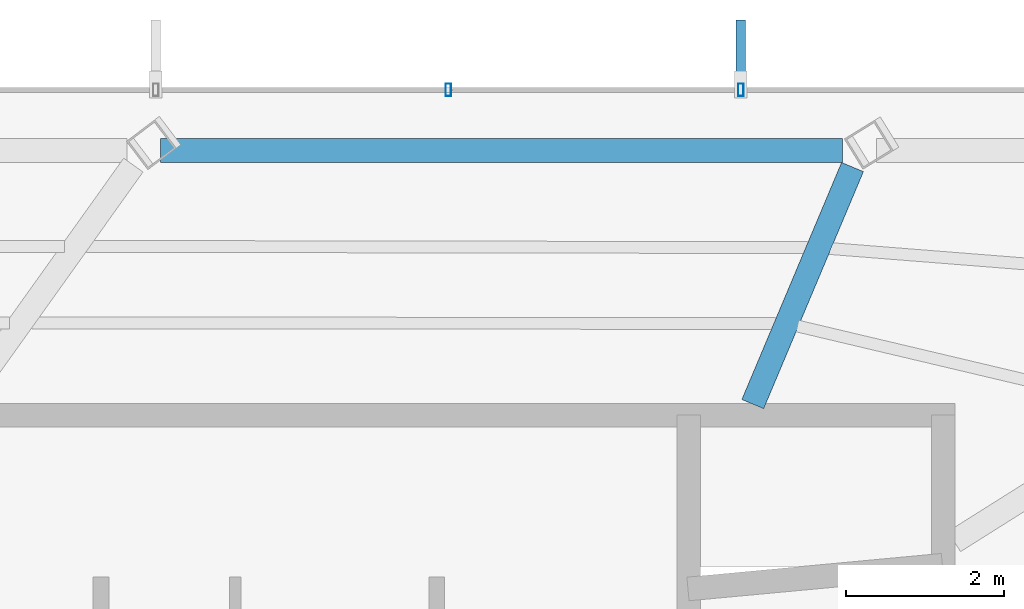
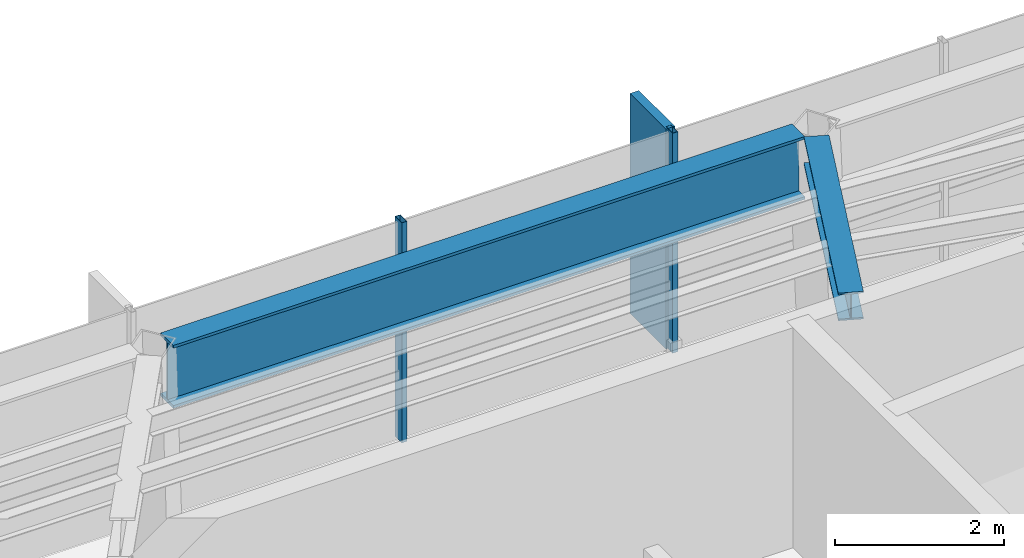
# One storey, part 14 of 22: 3 members, 2 beams, 1 element without a shape of its own.
"""IFC4 building model written with IfcOpenShell, lengths in metres."""

import ifcopenshell
import ifcopenshell.guid

model = None  # the IFC model being written
_history = None  # IfcOwnerHistory: only IFC2X3 demands one
_inside = {}  # id of a spatial element -> (the spatial element, [elements in it])
_under = {}  # id of a project, library or spatial element -> (it, [spatial elements below it])
_declared = {}  # id of a project -> (the project, [libraries it declares])
_typed = {}  # id of a type object -> (the type object, [elements of that type])
_made_of = {}  # id of a material, layer set ... -> (it, [elements and type objects made of it])


def new_model(schema):
    """Start an empty IFC model of exactly this schema.

    Asked for "IFC4X3", IfcOpenShell would pick the latest addendum, in which some entities
    have other attributes; the version numbers below select the first issue.
    IFC2X3 requires an IfcOwnerHistory on every rooted entity: one is made here for all.
    """
    global model, _history
    if schema == "IFC4X3":
        model = ifcopenshell.file(schema_version=(4, 3, 0, 0))
    else:
        model = ifcopenshell.file(schema=schema)
    _inside.clear()
    _under.clear()
    _declared.clear()
    _typed.clear()
    _made_of.clear()
    _history = None
    if model.schema == "IFC2X3":
        org = make("IfcOrganization", Name="unknown")
        user = make(
            "IfcPersonAndOrganization",
            ThePerson=make("IfcPerson", FamilyName="unknown"),
            TheOrganization=org,
        )
        app = make(
            "IfcApplication",
            ApplicationDeveloper=org,
            Version="unknown",
            ApplicationFullName="unknown",
            ApplicationIdentifier="unknown",
        )
        _history = make(
            "IfcOwnerHistory",
            OwningUser=user,
            OwningApplication=app,
            ChangeAction="ADDED",
            CreationDate=0,
        )
    return model


def make(cls, **values):
    """One entity of the class cls with the attributes given. An attribute that is None is left unset."""
    return model.create_entity(
        cls, **{name: value for name, value in values.items() if value is not None}
    )


def rooted(cls, **values):
    """An entity with a GlobalId (a new one), such as an element, a storey or a relation."""
    return make(cls, GlobalId=ifcopenshell.guid.new(), OwnerHistory=_history, **values)


def si_unit(unit_type, name, prefix=None):
    """IfcSIUnit, for example si_unit("LENGTHUNIT", "METRE", prefix="MILLI")."""
    return make("IfcSIUnit", UnitType=unit_type, Prefix=prefix, Name=name)


def assignment(units):
    """IfcUnitAssignment: the units of a project."""
    return None if units is None else make("IfcUnitAssignment", Units=units)


def point(xyz):
    """IfcCartesianPoint."""
    return None if xyz is None else make("IfcCartesianPoint", Coordinates=xyz)


def direction(xyz):
    """IfcDirection."""
    return None if xyz is None else make("IfcDirection", DirectionRatios=xyz)


def frame(location, z_axis=None, x_axis=None):
    """IfcAxis2Placement3D, a coordinate frame: its origin and axes. An axis left out is left unset."""
    return make(
        "IfcAxis2Placement3D",
        Location=point(location),
        Axis=direction(z_axis),
        RefDirection=direction(x_axis),
    )


def frame_2d(location, x_axis=None):
    """IfcAxis2Placement2D, a coordinate frame in the plane: its origin and x axis."""
    return make(
        "IfcAxis2Placement2D", Location=point(location), RefDirection=direction(x_axis)
    )


def origin():
    """The frame at (0, 0, 0) with its axes left unset."""
    return frame((0.0, 0.0, 0.0))


def origin_2d():
    """The frame at (0, 0) in the plane with its x axis left unset."""
    return frame_2d((0.0, 0.0))


def place(relative_to, where):
    """IfcLocalPlacement: puts the frame where relative to a parent placement (None: the world)."""
    return make(
        "IfcLocalPlacement", PlacementRelTo=relative_to, RelativePlacement=where
    )


def context(
    kind, dimensions, precision=None, world=None, true_north=None, identifier=None
):
    """IfcGeometricRepresentationContext, for example the 3D "Model" context."""
    return make(
        "IfcGeometricRepresentationContext",
        ContextIdentifier=identifier,
        ContextType=kind,
        CoordinateSpaceDimension=dimensions,
        Precision=precision,
        WorldCoordinateSystem=world,
        TrueNorth=true_north,
    )


def subcontext(parent, identifier, kind, view, scale=None):
    """IfcGeometricRepresentationSubContext, for example "Body" below "Model"."""
    return make(
        "IfcGeometricRepresentationSubContext",
        ContextIdentifier=identifier,
        ContextType=kind,
        ParentContext=parent,
        TargetScale=scale,
        TargetView=view,
    )


def project(units=None, contexts=None):
    """IfcProject with its units and contexts."""
    return rooted(
        "IfcProject",
        Name="project",
        RepresentationContexts=contexts,
        UnitsInContext=assignment(units),
    )


def spatial(cls, under=None, at=None, **own):
    """A site, building, storey or space (cls), placed at a placement, below another one or the project."""
    s = rooted(cls, ObjectPlacement=at, **own)
    if under is not None:
        _under.setdefault(under.id(), (under, []))[1].append(s)
    return s


def profile(cls, at=None, kind="AREA", **sizes):
    """A parametric profile (cls). Its sizes go by their IFC names, for example OverallWidth=200.0."""
    return make(cls, ProfileType=kind, Position=at, **sizes)


def rectangle(**sizes):
    """IfcRectangleProfileDef."""
    return profile("IfcRectangleProfileDef", **sizes)


def hollow_rectangle(**sizes):
    """IfcRectangleHollowProfileDef."""
    return profile("IfcRectangleHollowProfileDef", **sizes)


def i_section(**sizes):
    """IfcIShapeProfileDef."""
    return profile("IfcIShapeProfileDef", **sizes)


def extrude(swept, where, along, depth):
    """IfcExtrudedAreaSolid: the profile swept, set in the frame where, extruded along a direction by depth."""
    return make(
        "IfcExtrudedAreaSolid",
        SweptArea=swept,
        Position=where,
        ExtrudedDirection=direction(along),
        Depth=depth,
    )


def shape(context_of_items, identifier, shape_type, items):
    """IfcShapeRepresentation: the items that make up one representation, for example the "Body"."""
    return make(
        "IfcShapeRepresentation",
        ContextOfItems=context_of_items,
        RepresentationIdentifier=identifier,
        RepresentationType=shape_type,
        Items=items,
    )


def material(Name=None, Category=None):
    """IfcMaterial."""
    return make("IfcMaterial", Name=Name, Category=Category)


def layer(
    of_material, thickness, ventilated=None, Name=None, Category=None, Priority=None
):
    """IfcMaterialLayer: one layer of a wall or slab, of a material (None: an air gap)."""
    return make(
        "IfcMaterialLayer",
        Material=of_material,
        LayerThickness=thickness,
        IsVentilated=ventilated,
        Name=Name,
        Category=Category,
        Priority=Priority,
    )


def layer_set(layers, Name=None):
    """IfcMaterialLayerSet."""
    return make("IfcMaterialLayerSet", MaterialLayers=layers, LayerSetName=Name)


def material_profile(
    of_material, cross_section, Name=None, Category=None, Priority=None
):
    """IfcMaterialProfile: a cross section and its material."""
    return make(
        "IfcMaterialProfile",
        Name=Name,
        Material=of_material,
        Profile=cross_section,
        Priority=Priority,
        Category=Category,
    )


def profile_set(profiles, Name=None, composite=None):
    """IfcMaterialProfileSet."""
    return make(
        "IfcMaterialProfileSet",
        Name=Name,
        MaterialProfiles=profiles,
        CompositeProfile=composite,
    )


def made_of(thing, what):
    """Note that an element or type object is made of a material, layer set ...; save() writes the relation."""
    if what is not None:
        _made_of.setdefault(what.id(), (what, []))[1].append(thing)
    return thing


def type_object(cls, material=None, **own):
    """A type object (cls), such as IfcWallType, which elements share."""
    return made_of(rooted(cls, **own), material)


def element(
    cls,
    number,
    at=None,
    inside=None,
    cuts=None,
    type_object=None,
    material=None,
    context=None,
    identifier="Body",
    shape_type=None,
    held_by="IfcProductDefinitionShape",
    body=None,
    shapes=None,
    **own,
):
    """One element of the class cls, such as IfcWall. Its Tag is "e" and its number.

    at: its placement. inside: the storey or other place that contains it. cuts: it is an
    opening in that element (IfcRelVoidsElement). A single representation is given by context,
    identifier, shape_type and body (its items); several are given by shapes. held_by: the class
    of the entity that holds the representations. save() writes the other relations.
    """
    e = rooted(cls, Tag="e%d" % number, ObjectPlacement=at, **own)
    if body is not None:
        shapes = [shape(context, identifier, shape_type, body)]
    if shapes is not None:
        e.Representation = make(held_by, Representations=shapes)
    if inside is not None:
        _inside.setdefault(inside.id(), (inside, []))[1].append(e)
    if cuts is not None:
        rooted(
            "IfcRelVoidsElement", RelatingBuildingElement=cuts, RelatedOpeningElement=e
        )
    if type_object is not None:
        _typed.setdefault(type_object.id(), (type_object, []))[1].append(e)
    return made_of(e, material)


def aggregate(whole, parts):
    """IfcRelAggregates: a whole, such as a stair, and the parts it consists of."""
    return rooted("IfcRelAggregates", RelatingObject=whole, RelatedObjects=parts)


def save(model, path):
    """Write the relations noted so far, then the file.

    IfcRelAggregates (storeys below a building ...), IfcRelContainedInSpatialStructure (elements
    in a storey), IfcRelDefinesByType, IfcRelAssociatesMaterial and IfcRelDeclares: one each for
    every whole, place, type object, material and project.
    """
    for whole, parts in _under.values():
        aggregate(whole, parts)
    for where, things in _inside.values():
        rooted(
            "IfcRelContainedInSpatialStructure",
            RelatedElements=things,
            RelatingStructure=where,
        )
    for kind, things in _typed.values():
        rooted("IfcRelDefinesByType", RelatedObjects=things, RelatingType=kind)
    for what, things in _made_of.values():
        rooted("IfcRelAssociatesMaterial", RelatedObjects=things, RelatingMaterial=what)
    for by, libraries in _declared.values():
        rooted("IfcRelDeclares", RelatingContext=by, RelatedDefinitions=libraries)
    model.write(path)


model = new_model("IFC4")

# Units and contexts
model_context = context("Model", 3, precision=1e-05, world=origin(), true_north=direction((0.0, 1.0)))
body_context = subcontext(model_context, "Body", "Model", "MODEL_VIEW")
ifc_project = project(units=[si_unit("LENGTHUNIT", "METRE"), si_unit("AREAUNIT", "SQUARE_METRE"), si_unit("VOLUMEUNIT", "CUBIC_METRE"), si_unit("PLANEANGLEUNIT", "RADIAN"), si_unit("MASSUNIT", "GRAM", prefix="KILO")], contexts=[model_context])

# Site, building, storey
site_placement = place(None, origin())
site = spatial("IfcSite", under=ifc_project, at=site_placement, CompositionType="ELEMENT")
building_placement = place(site_placement, origin())
building = spatial("IfcBuilding", under=site, at=building_placement, Name="Zarrinselat Tower", CompositionType="ELEMENT")
storey_placement = place(building_placement, frame((0.0, 0.0, 295.800048828125)))
storey = spatial("IfcBuildingStorey", under=building, at=storey_placement, Name="L76", CompositionType="ELEMENT", Elevation=295.800048828125)

# Beams
ifc_material_1 = material(Name="Steel S355J2", Category="steel")
ifc_material_profile_1 = material_profile(ifc_material_1, i_section(OverallWidth=0.300048828125, OverallDepth=0.39990234375, WebThickness=0.013427734375, FlangeThickness=0.02392578125, at=origin_2d()), Name="HEB 400")
ifc_profile_set_1 = profile_set([ifc_material_profile_1], Name="Steel S355J2")
beam_type_1 = type_object("IfcBeamType", Name="BM-HEB400", PredefinedType="BEAM", material=ifc_profile_set_1)
beam_1_placement = place(storey_placement, frame((45.800048828125, 43.5400390625, 2.97998046875), z_axis=(0.387792124135, 0.921746857038, 0.0), x_axis=(-0.921746857038, 0.387792124135, 0.0)))
element("IfcBeam", 1, at=beam_1_placement, inside=storey, type_object=beam_type_1, Name="L76 Radial Primary Girder RG02", PredefinedType="BEAM", context=body_context, shape_type="SweptSolid", body=[
    extrude(i_section(OverallWidth=0.300048828125, OverallDepth=0.39990234375, WebThickness=0.013427734375, FlangeThickness=0.02392578125, at=origin_2d()), origin(), (0.0, 0.0, 1.0), 3.25537109375),
])
ifc_material_2 = material(Name="Steel S460M", Category="steel")
ifc_material_profile_2 = material_profile(ifc_material_2, i_section(OverallWidth=0.302001953125, OverallDepth=0.909912109375, WebThickness=0.02099609375, FlangeThickness=0.0400390625, at=origin_2d()), Name="HEM 900")
ifc_profile_set_2 = profile_set([ifc_material_profile_2], Name="Steel S460M")
beam_type_2 = type_object("IfcBeamType", Name="BM-HEM900", PredefinedType="BEAM", material=ifc_profile_set_2)
beam_2_placement = place(storey_placement, frame((38.30419921875, 46.75, 2.724853515625), z_axis=(1.0, 0.0, 0.0), x_axis=(0.0, 1.0, 0.0)))
element("IfcBeam", 2, at=beam_2_placement, inside=storey, type_object=beam_type_2, Name="L76 Perimeter Spandrel Girder SP02", PredefinedType="BEAM", context=body_context, shape_type="SweptSolid", body=[
    extrude(i_section(OverallWidth=0.302001953125, OverallDepth=0.909912109375, WebThickness=0.02099609375, FlangeThickness=0.0400390625, at=origin_2d()), origin(), (0.0, 0.0, 1.0), 8.63330078125),
])

# Curtain wall, members
ifc_material_3 = material(Name="Extruded Aluminium Alloy EN AW-6063 T6", Category="aluminium")
ifc_layer = layer(ifc_material_3, 0.169921875)
ifc_layer_set = layer_set([ifc_layer], Name="Extruded Aluminium Alloy EN AW-6063 T6")
curtain_wall_type = type_object("IfcCurtainWallType", Name="CWS-RES", PredefinedType="NOTDEFINED", material=ifc_layer_set)
curtain_wall_placement = place(storey_placement, origin())
curtain_wall = element("IfcCurtainWall", 3, at=curtain_wall_placement, inside=storey, type_object=curtain_wall_type, Name="L76 Unitised Curtain Wall CW-L76-E01", PredefinedType="NOTDEFINED")
ifc_material_4 = material(Name="Extruded Aluminium Alloy EN AW-6063 T6", Category="aluminium")
ifc_material_profile_3 = material_profile(ifc_material_4, hollow_rectangle(XDim=0.070068359375, YDim=0.159912109375, WallThickness=0.00390625, at=origin_2d()), Name="RHS 160x70x4")
ifc_profile_set_3 = profile_set([ifc_material_profile_3], Name="Extruded Aluminium Alloy EN AW-6063 T6")
member_type_1 = type_object("IfcMemberType", Name="MEM-CW-MUL2", PredefinedType="MULLION", material=ifc_profile_set_3)
member_1_placement = place(storey_placement, frame((45.6494140625, 47.5166015625, 0.0), z_axis=(0.0, 0.0, 1.0), x_axis=(-1.0, 0.0, 0.0)))
member_1 = element("IfcMember", 4, at=member_1_placement, type_object=member_type_1, Name="CW-L76-E01 Mullion 3", PredefinedType="MULLION", context=body_context, shape_type="SweptSolid", body=[
    extrude(hollow_rectangle(XDim=0.070068359375, YDim=0.159912109375, WallThickness=0.00390625, at=origin_2d()), origin(), (0.0, 0.0, 1.0), 3.179931640625),
])
member_2_placement = place(storey_placement, frame((41.94677734375, 47.5166015625, 0.0), z_axis=(0.0, 0.0, 1.0), x_axis=(-1.0, 0.0, 0.0)))
member_2 = element("IfcMember", 5, at=member_2_placement, type_object=member_type_1, Name="CW-L76-E01 Mullion 4", PredefinedType="MULLION", context=body_context, shape_type="SweptSolid", body=[
    extrude(hollow_rectangle(XDim=0.070068359375, YDim=0.159912109375, WallThickness=0.00390625, at=origin_2d()), origin(), (0.0, 0.0, 1.0), 3.179931640625),
])
ifc_material_5 = material(Name="Honed Cream Travertine Stone", Category="masonry")
ifc_material_profile_4 = material_profile(ifc_material_5, rectangle(XDim=0.1201171875, YDim=0.85009765625, at=origin_2d()), Name="FIN 850x120")
ifc_profile_set_4 = profile_set([ifc_material_profile_4], Name="Honed Cream Travertine Stone")
member_type_2 = type_object("IfcMemberType", Name="MEM-STONE-FIN", PredefinedType="USERDEFINED", material=ifc_profile_set_4)
member_3_placement = place(storey_placement, frame((45.6494140625, 47.976806640625, 0.0), z_axis=(0.0, 0.0, 1.0), x_axis=(1.0, 0.0, 0.0)))
member_3 = element("IfcMember", 6, at=member_3_placement, type_object=member_type_2, Name="L76 Stone Shading Fin CW-L76-E01-03", ObjectType="FIN", PredefinedType="USERDEFINED", context=body_context, shape_type="SweptSolid", body=[
    extrude(rectangle(XDim=0.1201171875, YDim=0.85009765625, at=origin_2d()), origin(), (0.0, 0.0, 1.0), 3.179931640625),
])
aggregate(curtain_wall, [member_1, member_3, member_2])

save(model, "model.ifc")
